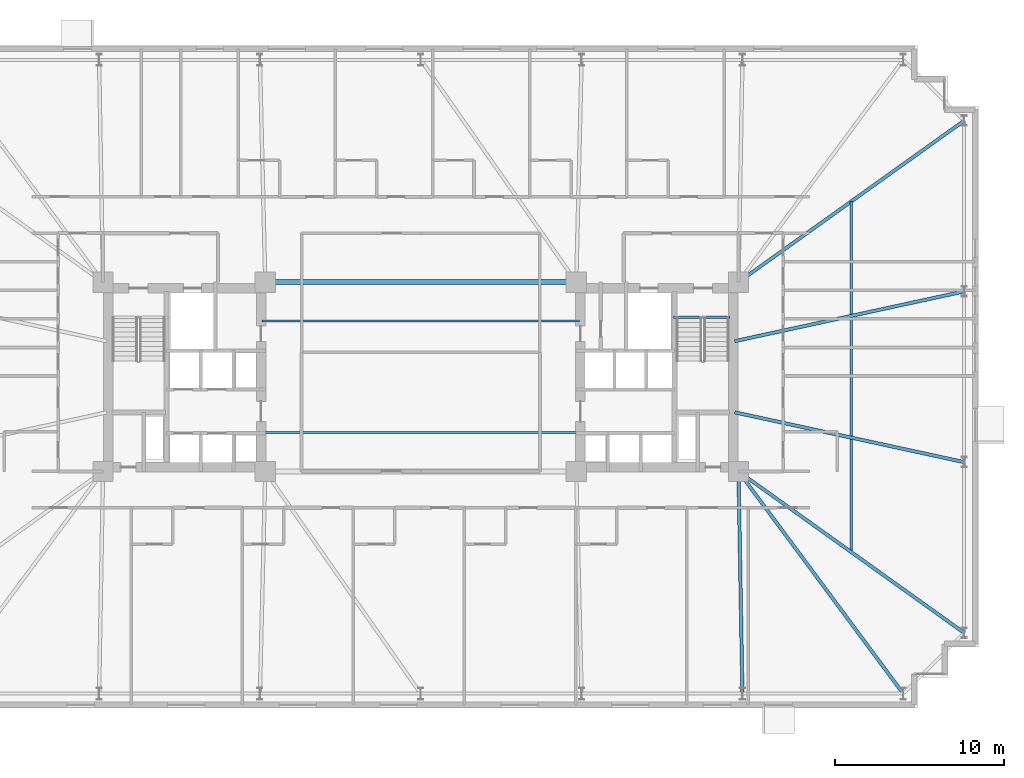
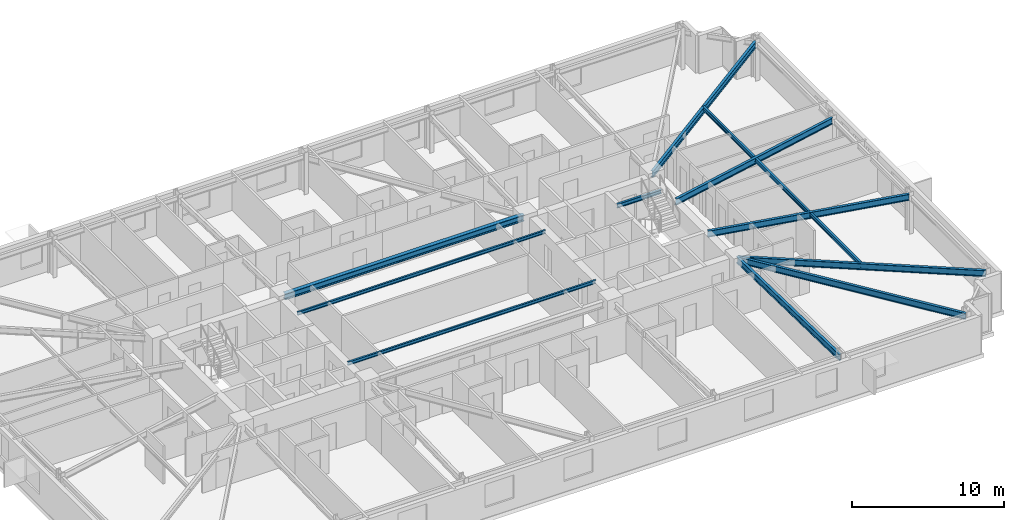
# One storey, part 7 of 21: 11 beams.
"""IFC4 building model written with IfcOpenShell, lengths in metres."""

import ifcopenshell
import ifcopenshell.guid

model = None  # the IFC model being written
_history = None  # IfcOwnerHistory: only IFC2X3 demands one
_inside = {}  # id of a spatial element -> (the spatial element, [elements in it])
_under = {}  # id of a project, library or spatial element -> (it, [spatial elements below it])
_declared = {}  # id of a project -> (the project, [libraries it declares])
_typed = {}  # id of a type object -> (the type object, [elements of that type])
_made_of = {}  # id of a material, layer set ... -> (it, [elements and type objects made of it])


def new_model(schema):
    """Start an empty IFC model of exactly this schema.

    Asked for "IFC4X3", IfcOpenShell would pick the latest addendum, in which some entities
    have other attributes; the version numbers below select the first issue.
    IFC2X3 requires an IfcOwnerHistory on every rooted entity: one is made here for all.
    """
    global model, _history
    if schema == "IFC4X3":
        model = ifcopenshell.file(schema_version=(4, 3, 0, 0))
    else:
        model = ifcopenshell.file(schema=schema)
    _inside.clear()
    _under.clear()
    _declared.clear()
    _typed.clear()
    _made_of.clear()
    _history = None
    if model.schema == "IFC2X3":
        org = make("IfcOrganization", Name="unknown")
        user = make(
            "IfcPersonAndOrganization",
            ThePerson=make("IfcPerson", FamilyName="unknown"),
            TheOrganization=org,
        )
        app = make(
            "IfcApplication",
            ApplicationDeveloper=org,
            Version="unknown",
            ApplicationFullName="unknown",
            ApplicationIdentifier="unknown",
        )
        _history = make(
            "IfcOwnerHistory",
            OwningUser=user,
            OwningApplication=app,
            ChangeAction="ADDED",
            CreationDate=0,
        )
    return model


def make(cls, **values):
    """One entity of the class cls with the attributes given. An attribute that is None is left unset."""
    return model.create_entity(
        cls, **{name: value for name, value in values.items() if value is not None}
    )


def rooted(cls, **values):
    """An entity with a GlobalId (a new one), such as an element, a storey or a relation."""
    return make(cls, GlobalId=ifcopenshell.guid.new(), OwnerHistory=_history, **values)


def si_unit(unit_type, name, prefix=None):
    """IfcSIUnit, for example si_unit("LENGTHUNIT", "METRE", prefix="MILLI")."""
    return make("IfcSIUnit", UnitType=unit_type, Prefix=prefix, Name=name)


def assignment(units):
    """IfcUnitAssignment: the units of a project."""
    return None if units is None else make("IfcUnitAssignment", Units=units)


def point(xyz):
    """IfcCartesianPoint."""
    return None if xyz is None else make("IfcCartesianPoint", Coordinates=xyz)


def direction(xyz):
    """IfcDirection."""
    return None if xyz is None else make("IfcDirection", DirectionRatios=xyz)


def frame(location, z_axis=None, x_axis=None):
    """IfcAxis2Placement3D, a coordinate frame: its origin and axes. An axis left out is left unset."""
    return make(
        "IfcAxis2Placement3D",
        Location=point(location),
        Axis=direction(z_axis),
        RefDirection=direction(x_axis),
    )


def frame_2d(location, x_axis=None):
    """IfcAxis2Placement2D, a coordinate frame in the plane: its origin and x axis."""
    return make(
        "IfcAxis2Placement2D", Location=point(location), RefDirection=direction(x_axis)
    )


def origin():
    """The frame at (0, 0, 0) with its axes left unset."""
    return frame((0.0, 0.0, 0.0))


def origin_2d():
    """The frame at (0, 0) in the plane with its x axis left unset."""
    return frame_2d((0.0, 0.0))


def place(relative_to, where):
    """IfcLocalPlacement: puts the frame where relative to a parent placement (None: the world)."""
    return make(
        "IfcLocalPlacement", PlacementRelTo=relative_to, RelativePlacement=where
    )


def context(
    kind, dimensions, precision=None, world=None, true_north=None, identifier=None
):
    """IfcGeometricRepresentationContext, for example the 3D "Model" context."""
    return make(
        "IfcGeometricRepresentationContext",
        ContextIdentifier=identifier,
        ContextType=kind,
        CoordinateSpaceDimension=dimensions,
        Precision=precision,
        WorldCoordinateSystem=world,
        TrueNorth=true_north,
    )


def subcontext(parent, identifier, kind, view, scale=None):
    """IfcGeometricRepresentationSubContext, for example "Body" below "Model"."""
    return make(
        "IfcGeometricRepresentationSubContext",
        ContextIdentifier=identifier,
        ContextType=kind,
        ParentContext=parent,
        TargetScale=scale,
        TargetView=view,
    )


def project(units=None, contexts=None):
    """IfcProject with its units and contexts."""
    return rooted(
        "IfcProject",
        Name="project",
        RepresentationContexts=contexts,
        UnitsInContext=assignment(units),
    )


def spatial(cls, under=None, at=None, **own):
    """A site, building, storey or space (cls), placed at a placement, below another one or the project."""
    s = rooted(cls, ObjectPlacement=at, **own)
    if under is not None:
        _under.setdefault(under.id(), (under, []))[1].append(s)
    return s


def profile(cls, at=None, kind="AREA", **sizes):
    """A parametric profile (cls). Its sizes go by their IFC names, for example OverallWidth=200.0."""
    return make(cls, ProfileType=kind, Position=at, **sizes)


def i_section(**sizes):
    """IfcIShapeProfileDef."""
    return profile("IfcIShapeProfileDef", **sizes)


def extrude(swept, where, along, depth):
    """IfcExtrudedAreaSolid: the profile swept, set in the frame where, extruded along a direction by depth."""
    return make(
        "IfcExtrudedAreaSolid",
        SweptArea=swept,
        Position=where,
        ExtrudedDirection=direction(along),
        Depth=depth,
    )


def shape(context_of_items, identifier, shape_type, items):
    """IfcShapeRepresentation: the items that make up one representation, for example the "Body"."""
    return make(
        "IfcShapeRepresentation",
        ContextOfItems=context_of_items,
        RepresentationIdentifier=identifier,
        RepresentationType=shape_type,
        Items=items,
    )


def material(Name=None, Category=None):
    """IfcMaterial."""
    return make("IfcMaterial", Name=Name, Category=Category)


def material_profile(
    of_material, cross_section, Name=None, Category=None, Priority=None
):
    """IfcMaterialProfile: a cross section and its material."""
    return make(
        "IfcMaterialProfile",
        Name=Name,
        Material=of_material,
        Profile=cross_section,
        Priority=Priority,
        Category=Category,
    )


def profile_set(profiles, Name=None, composite=None):
    """IfcMaterialProfileSet."""
    return make(
        "IfcMaterialProfileSet",
        Name=Name,
        MaterialProfiles=profiles,
        CompositeProfile=composite,
    )


def made_of(thing, what):
    """Note that an element or type object is made of a material, layer set ...; save() writes the relation."""
    if what is not None:
        _made_of.setdefault(what.id(), (what, []))[1].append(thing)
    return thing


def type_object(cls, material=None, **own):
    """A type object (cls), such as IfcWallType, which elements share."""
    return made_of(rooted(cls, **own), material)


def element(
    cls,
    number,
    at=None,
    inside=None,
    cuts=None,
    type_object=None,
    material=None,
    context=None,
    identifier="Body",
    shape_type=None,
    held_by="IfcProductDefinitionShape",
    body=None,
    shapes=None,
    **own,
):
    """One element of the class cls, such as IfcWall. Its Tag is "e" and its number.

    at: its placement. inside: the storey or other place that contains it. cuts: it is an
    opening in that element (IfcRelVoidsElement). A single representation is given by context,
    identifier, shape_type and body (its items); several are given by shapes. held_by: the class
    of the entity that holds the representations. save() writes the other relations.
    """
    e = rooted(cls, Tag="e%d" % number, ObjectPlacement=at, **own)
    if body is not None:
        shapes = [shape(context, identifier, shape_type, body)]
    if shapes is not None:
        e.Representation = make(held_by, Representations=shapes)
    if inside is not None:
        _inside.setdefault(inside.id(), (inside, []))[1].append(e)
    if cuts is not None:
        rooted(
            "IfcRelVoidsElement", RelatingBuildingElement=cuts, RelatedOpeningElement=e
        )
    if type_object is not None:
        _typed.setdefault(type_object.id(), (type_object, []))[1].append(e)
    return made_of(e, material)


def aggregate(whole, parts):
    """IfcRelAggregates: a whole, such as a stair, and the parts it consists of."""
    return rooted("IfcRelAggregates", RelatingObject=whole, RelatedObjects=parts)


def save(model, path):
    """Write the relations noted so far, then the file.

    IfcRelAggregates (storeys below a building ...), IfcRelContainedInSpatialStructure (elements
    in a storey), IfcRelDefinesByType, IfcRelAssociatesMaterial and IfcRelDeclares: one each for
    every whole, place, type object, material and project.
    """
    for whole, parts in _under.values():
        aggregate(whole, parts)
    for where, things in _inside.values():
        rooted(
            "IfcRelContainedInSpatialStructure",
            RelatedElements=things,
            RelatingStructure=where,
        )
    for kind, things in _typed.values():
        rooted("IfcRelDefinesByType", RelatedObjects=things, RelatingType=kind)
    for what, things in _made_of.values():
        rooted("IfcRelAssociatesMaterial", RelatedObjects=things, RelatingMaterial=what)
    for by, libraries in _declared.values():
        rooted("IfcRelDeclares", RelatingContext=by, RelatedDefinitions=libraries)
    model.write(path)


model = new_model("IFC4")

# Units and contexts
model_context = context("Model", 3, precision=1e-05, world=origin(), true_north=direction((0.0, 1.0)))
body_context = subcontext(model_context, "Body", "Model", "MODEL_VIEW")
ifc_project = project(units=[si_unit("LENGTHUNIT", "METRE"), si_unit("AREAUNIT", "SQUARE_METRE"), si_unit("VOLUMEUNIT", "CUBIC_METRE"), si_unit("PLANEANGLEUNIT", "RADIAN"), si_unit("MASSUNIT", "GRAM", prefix="KILO")], contexts=[model_context])

# Site, building, storey
site_placement = place(None, origin())
site = spatial("IfcSite", under=ifc_project, at=site_placement, CompositionType="ELEMENT")
building_placement = place(site_placement, origin())
building = spatial("IfcBuilding", under=site, at=building_placement, Name="Qobustan Lattice House", CompositionType="ELEMENT")
storey_placement = place(building_placement, frame((0.0, 0.0, 57.14990234375)))
storey = spatial("IfcBuildingStorey", under=building, at=storey_placement, Name="L15", CompositionType="ELEMENT", Elevation=57.14990234375)

# Beams
ifc_material_1 = material(Name="Steel S355", Category="steel")
ifc_material_profile_1 = material_profile(ifc_material_1, i_section(OverallWidth=0.300048828125, OverallDepth=0.5, WebThickness=0.014404296875, FlangeThickness=0.028076171875, FilletRadius=0.027099609375, at=origin_2d()), Name="HEB500")
ifc_profile_set_1 = profile_set([ifc_material_profile_1], Name="Steel S355")
beam_type_1 = type_object("IfcBeamType", Name="BM-CG-HEB500", PredefinedType="USERDEFINED", material=ifc_profile_set_1)
beam_1_placement = place(storey_placement, frame((-9.050048828125, 5.60009765625, 2.78515625), z_axis=(1.0, 0.0, 0.0), x_axis=(0.0, 1.0, 0.0)))
element("IfcBeam", 1, at=beam_1_placement, inside=storey, type_object=beam_type_1, Name="L15 core spine girder CG-CN", ObjectType="GIRDER", PredefinedType="USERDEFINED", context=body_context, shape_type="SweptSolid", body=[
    extrude(i_section(OverallWidth=0.300048828125, OverallDepth=0.5, WebThickness=0.014404296875, FlangeThickness=0.028076171875, FilletRadius=0.027099609375, at=origin_2d()), origin(), (0.0, 0.0, 1.0), 18.10009765625),
])
ifc_material_2 = material(Name="Steel S355", Category="steel")
ifc_material_profile_2 = material_profile(ifc_material_2, i_section(OverallWidth=0.199951171875, OverallDepth=0.5, WebThickness=0.01025390625, FlangeThickness=0.01611328125, FilletRadius=0.02099609375, at=origin_2d()), Name="IPE500")
ifc_profile_set_2 = profile_set([ifc_material_profile_2], Name="Steel S355")
beam_type_2 = type_object("IfcBeamType", Name="BM-FLG-IPE500", PredefinedType="USERDEFINED", material=ifc_profile_set_2)
beam_2_placement = place(storey_placement, frame((19.032958984375, -18.72509765625, 2.78515625), z_axis=(-0.017757831607, 0.999842317276, 0.0), x_axis=(-0.999842317276, -0.017757831607, 0.0)))
element("IfcBeam", 2, at=beam_2_placement, inside=storey, type_object=beam_type_2, Name="L15 primary floor girder RAD-S6", ObjectType="GIRDER", PredefinedType="USERDEFINED", context=body_context, shape_type="SweptSolid", body=[
    extrude(i_section(OverallWidth=0.199951171875, OverallDepth=0.5, WebThickness=0.01025390625, FlangeThickness=0.01611328125, FilletRadius=0.02099609375, at=origin_2d()), origin(), (0.0, 0.0, 1.0), 13.10205078125),
])
beam_3_placement = place(storey_placement, frame((28.53515625, -18.72998046875, 2.78515625), z_axis=(-0.5955916815, 0.803287338956, 0.0), x_axis=(-0.803287338956, -0.5955916815, 0.0)))
element("IfcBeam", 3, at=beam_3_placement, inside=storey, type_object=beam_type_2, Name="L15 primary floor girder RAD-S7E", ObjectType="GIRDER", PredefinedType="USERDEFINED", context=body_context, shape_type="SweptSolid", body=[
    extrude(i_section(OverallWidth=0.199951171875, OverallDepth=0.5, WebThickness=0.01025390625, FlangeThickness=0.01611328125, FilletRadius=0.02099609375, at=origin_2d()), origin(), (0.0, 0.0, 1.0), 16.3203125),
])
beam_4_placement = place(storey_placement, frame((32.129638671875, 15.135498046875, 2.78515625), z_axis=(-0.813318954893, -0.581818079481, 0.0), x_axis=(0.581818079481, -0.813318954893, 0.0)))
element("IfcBeam", 4, at=beam_4_placement, inside=storey, type_object=beam_type_2, Name="L15 primary floor girder RAD-E4", ObjectType="GIRDER", PredefinedType="USERDEFINED", context=body_context, shape_type="SweptSolid", body=[
    extrude(i_section(OverallWidth=0.199951171875, OverallDepth=0.5, WebThickness=0.01025390625, FlangeThickness=0.01611328125, FilletRadius=0.02099609375, at=origin_2d()), origin(), (0.0, 0.0, 1.0), 16.3642578125),
])
for number, where, z_axis, x_axis, name in (
    (5, (32.12548828125, 5.044677734375, 2.78515625), (-0.97727240275, -0.211987383643, 0.0), (0.211987383643, -0.97727240275, 0.0), "L15 primary floor girder RAD-E3"),
    (6, (32.12548828125, -5.044677734375, 2.78515625), (-0.97727240275, 0.211987383643, 0.0), (-0.211987383643, -0.97727240275, 0.0), "L15 primary floor girder RAD-E2"),
):
    element("IfcBeam", number, at=place(storey_placement, frame(where, z_axis=z_axis, x_axis=x_axis)), inside=storey, type_object=beam_type_2, Name=name, ObjectType="GIRDER", PredefinedType="USERDEFINED", context=body_context, shape_type="SweptSolid", body=[
        extrude(i_section(OverallWidth=0.199951171875, OverallDepth=0.5, WebThickness=0.01025390625, FlangeThickness=0.01611328125, FilletRadius=0.02099609375, at=origin_2d()), origin(), (0.0, 0.0, 1.0), 13.8662109375),
    ])
beam_5_placement = place(storey_placement, frame((32.129638671875, -15.135498046875, 2.78515625), z_axis=(-0.813318954893, 0.581818079481, 0.0), x_axis=(-0.581818079481, -0.813318954893, 0.0)))
element("IfcBeam", 7, at=beam_5_placement, inside=storey, type_object=beam_type_2, Name="L15 primary floor girder RAD-E1", ObjectType="GIRDER", PredefinedType="USERDEFINED", context=body_context, shape_type="SweptSolid", body=[
    extrude(i_section(OverallWidth=0.199951171875, OverallDepth=0.5, WebThickness=0.01025390625, FlangeThickness=0.01611328125, FilletRadius=0.02099609375, at=origin_2d()), origin(), (0.0, 0.0, 1.0), 16.3642578125),
])
ifc_material_3 = material(Name="Steel S355", Category="steel")
ifc_material_profile_3 = material_profile(ifc_material_3, i_section(OverallWidth=0.135009765625, OverallDepth=0.27001953125, WebThickness=0.006591796875, FlangeThickness=0.01025390625, FilletRadius=0.014892578125, at=origin_2d()), Name="IPE270")
ifc_profile_set_3 = profile_set([ifc_material_profile_3], Name="Steel S355")
beam_type_3 = type_object("IfcBeamType", Name="BM-JST-IPE270", PredefinedType="JOIST", material=ifc_profile_set_3)
for number, where, z_axis, x_axis, name in (
    (8, (-9.39990234375, -3.300048828125, 2.900146484375), (1.0, 0.0, 0.0), (0.0, 1.0, 0.0), "L15 central span floor joist 1"),
    (9, (-9.39990234375, 3.300048828125, 2.900146484375), (1.0, 0.0, 0.0), (0.0, 1.0, 0.0), "L15 central span floor joist 2"),
):
    element("IfcBeam", number, at=place(storey_placement, frame(where, z_axis=z_axis, x_axis=x_axis)), inside=storey, type_object=beam_type_3, Name=name, PredefinedType="JOIST", context=body_context, shape_type="SweptSolid", body=[
        extrude(i_section(OverallWidth=0.135009765625, OverallDepth=0.27001953125, WebThickness=0.006591796875, FlangeThickness=0.01025390625, FilletRadius=0.014892578125, at=origin_2d()), origin(), (0.0, 0.0, 1.0), 18.7998046875),
    ])
ifc_material_4 = material(Name="Steel S355", Category="steel")
ifc_material_profile_4 = material_profile(ifc_material_4, i_section(OverallWidth=0.159912109375, OverallDepth=0.330078125, WebThickness=0.007568359375, FlangeThickness=0.011474609375, FilletRadius=0.01806640625, at=origin_2d()), Name="IPE330")
ifc_profile_set_4 = profile_set([ifc_material_profile_4], Name="Steel S355")
beam_type_4 = type_object("IfcBeamType", Name="BM-SEC-IPE330", PredefinedType="BEAM", material=ifc_profile_set_4)
beam_6_placement = place(storey_placement, frame((25.47509765625, 10.375, 2.8701171875), z_axis=(0.0, -1.0, 0.0), x_axis=(1.0, 0.0, 0.0)))
element("IfcBeam", 10, at=beam_6_placement, inside=storey, type_object=beam_type_4, Name="L15 east wing secondary beam", PredefinedType="BEAM", context=body_context, shape_type="SweptSolid", body=[
    extrude(i_section(OverallWidth=0.159912109375, OverallDepth=0.330078125, WebThickness=0.007568359375, FlangeThickness=0.011474609375, FilletRadius=0.01806640625, at=origin_2d()), origin(), (0.0, 0.0, 1.0), 20.75),
])
ifc_material_5 = material(Name="Steel S355", Category="steel")
ifc_material_profile_5 = material_profile(ifc_material_5, i_section(OverallWidth=0.159912109375, OverallDepth=0.330078125, WebThickness=0.007568359375, FlangeThickness=0.011474609375, FilletRadius=0.01806640625, at=origin_2d()), Name="IPE330")
ifc_profile_set_5 = profile_set([ifc_material_profile_5], Name="Steel S355")
beam_type_5 = type_object("IfcBeamType", Name="BM-SPD-IPE330", PredefinedType="SPANDREL", material=ifc_profile_set_5)
beam_7_placement = place(storey_placement, frame((14.949951171875, 3.52001953125, 2.8701171875), z_axis=(1.0, 0.0, 0.0), x_axis=(0.0, 1.0, 0.0)))
element("IfcBeam", 11, at=beam_7_placement, inside=storey, type_object=beam_type_5, Name="L15 east stair landing trimmer beam", PredefinedType="SPANDREL", context=body_context, shape_type="SweptSolid", body=[
    extrude(i_section(OverallWidth=0.159912109375, OverallDepth=0.330078125, WebThickness=0.007568359375, FlangeThickness=0.011474609375, FilletRadius=0.01806640625, at=origin_2d()), origin(), (0.0, 0.0, 1.0), 3.35009765625),
])

save(model, "model.ifc")
